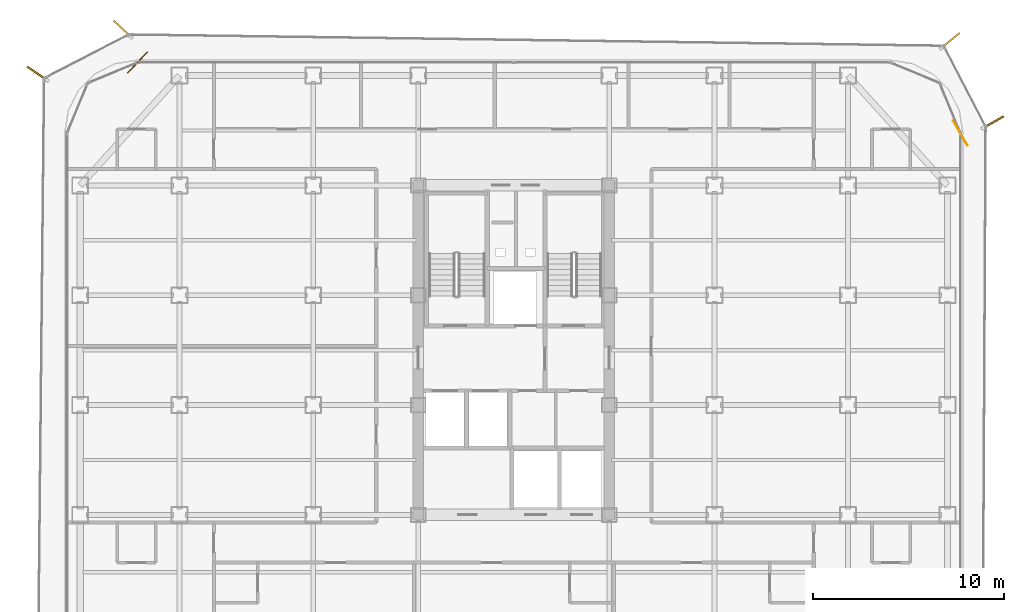
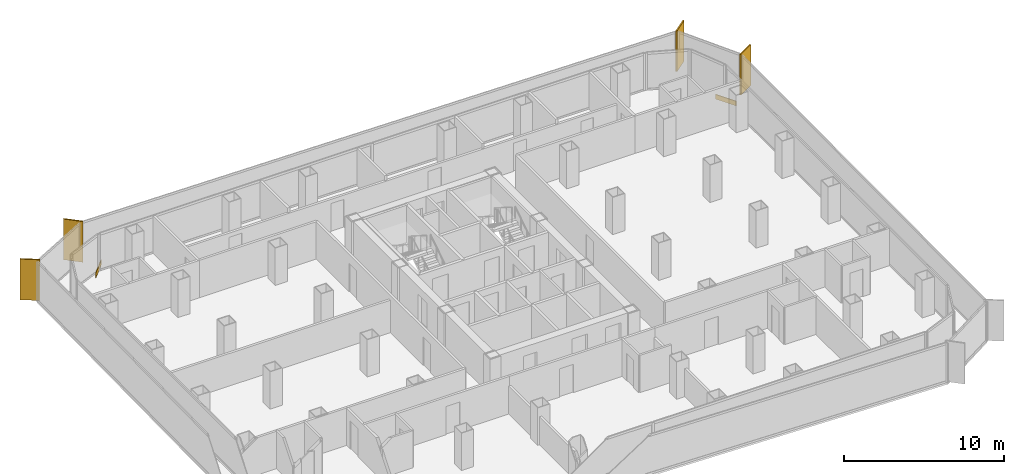
# One storey, part 21 of 21: 4 shading devices, 2 coverings.
"""IFC4 building model written with IfcOpenShell, lengths in metres."""

from ifc_helpers import new_model, si_unit, direction, frame, origin, origin_2d, place, context, subcontext, project, spatial, rectangle, extrude, source, transform, mapped, material, layer, layer_set, type_object, element, save


model = new_model("IFC4")

# Units and contexts
model_context = context("Model", 3, precision=1e-05, world=origin(), true_north=direction((0.0, 1.0)))
body_context = subcontext(model_context, "Body", "Model", "MODEL_VIEW")
ifc_project = project(units=[si_unit("LENGTHUNIT", "METRE"), si_unit("AREAUNIT", "SQUARE_METRE"), si_unit("VOLUMEUNIT", "CUBIC_METRE"), si_unit("PLANEANGLEUNIT", "RADIAN"), si_unit("MASSUNIT", "GRAM", prefix="KILO")], contexts=[model_context])

# Site, building, storey
site_placement = place(None, origin())
site = spatial("IfcSite", under=ifc_project, at=site_placement, CompositionType="ELEMENT")
building_placement = place(site_placement, origin())
building = spatial("IfcBuilding", under=site, at=building_placement, Name="Kolveth Station Tower", CompositionType="ELEMENT")
storey_placement = place(building_placement, frame((0.0, 0.0, 148.39990234375)))
storey = spatial("IfcBuildingStorey", under=building, at=storey_placement, Name="L41", CompositionType="ELEMENT", Elevation=148.39990234375)

# Shading devices
ifc_material_1 = material(Name="Black anodized aluminium 6063-T6", Category="aluminium")
shading_device_type = type_object("IfcShadingDeviceType", Name="FIN_VF1", PredefinedType="USERDEFINED", material=ifc_material_1)
shared_shape_1 = source(origin(), body_context, "Body", "SweptSolid", [
    extrude(rectangle(XDim=1.25, YDim=0.090087890625, at=origin_2d()), origin(), (0.0, 0.0, 1.0), 3.10009765625),
])
for number, where, z_axis, x_axis, name in (
    (1, (48.597900390625, 32.055908203125, 0.0), (0.0, 0.0, 1.0), (0.867331431408, 0.497731039913, 0.0), "L41 Dark-Aluminium Solar Fin 3"),
    (2, (46.361083984375, 36.3369140625, 0.0), (0.0, 0.0, 1.0), (0.774282204376, 0.632840475939, 0.0), "L41 Dark-Aluminium Solar Fin 4"),
    (3, (3.009033203125, 36.947998046875, 0.0), (0.0, 0.0, 1.0), (-0.72801210908, 0.685564270534, 0.0), "L41 Dark-Aluminium Solar Fin 5"),
    (4, (-1.455078125, 34.610107421875, 0.0), (0.0, 0.0, 1.0), (-0.827080574275, 0.562083377852, 0.0), "L41 Dark-Aluminium Solar Fin 6"),
):
    element("IfcShadingDevice", number, at=place(storey_placement, frame(where, z_axis=z_axis, x_axis=x_axis)), inside=storey, type_object=shading_device_type, Name=name, ObjectType="FIN", PredefinedType="USERDEFINED", context=body_context, shape_type="MappedRepresentation", body=[
        mapped(shared_shape_1, transform((0.0, 0.0, 0.0), x_axis=(1.0, 0.0, 0.0), y_axis=(0.0, 1.0, 0.0), z_axis=(0.0, 0.0, 1.0), scale=1.0)),
    ])

# Coverings
ifc_material_2 = material(Name="Charcoal anodized aluminium spandrel cladding", Category="aluminium")
ifc_layer = layer(ifc_material_2, 0.044921875)
ifc_layer_set = layer_set([ifc_layer], Name="Charcoal anodized aluminium spandrel cladding")
covering_type = type_object("IfcCoveringType", Name="Clad_CD1", PredefinedType="CLADDING", material=ifc_layer_set)
shared_shape_2 = source(origin(), body_context, "Body", "SweptSolid", [
    extrude(rectangle(XDim=1.5, YDim=0.044921875, at=origin_2d()), origin(), (0.0, 0.0, 1.0), 0.360107421875),
])
for number, where, z_axis, x_axis, name in (
    (5, (46.8798828125, 31.5, 0.0), (0.0, 0.0, 1.0), (-0.497731039913, 0.867331431408, 0.0), "L41 Spandrel Edge Cladding 3"),
    (6, (3.800048828125, 35.179931640625, 0.0), (0.0, 0.0, 1.0), (-0.685564270534, -0.72801210908, 0.0), "L41 Spandrel Edge Cladding 5"),
):
    element("IfcCovering", number, at=place(storey_placement, frame(where, z_axis=z_axis, x_axis=x_axis)), inside=storey, type_object=covering_type, Name=name, PredefinedType="CLADDING", context=body_context, shape_type="MappedRepresentation", body=[
        mapped(shared_shape_2, transform((0.0, 0.0, 0.0), x_axis=(1.0, 0.0, 0.0), y_axis=(0.0, 1.0, 0.0), z_axis=(0.0, 0.0, 1.0), scale=1.0)),
    ])

save(model, "model.ifc")
